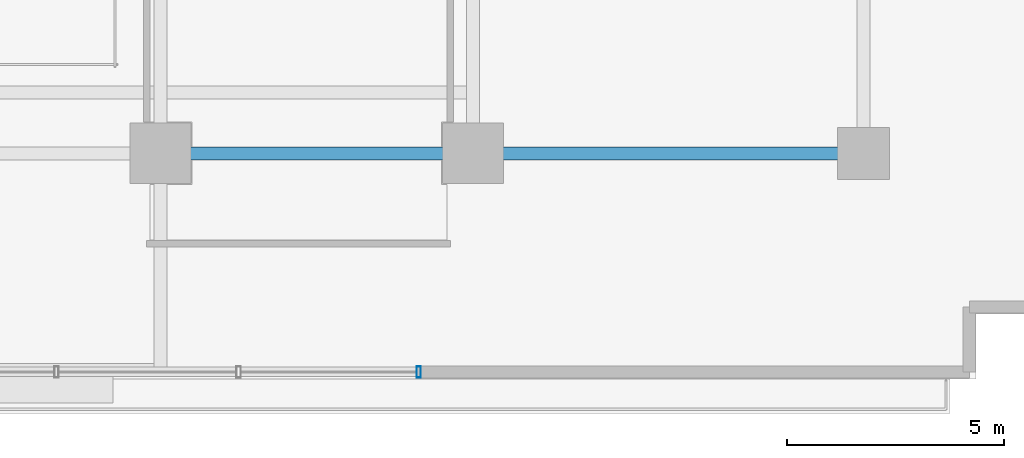
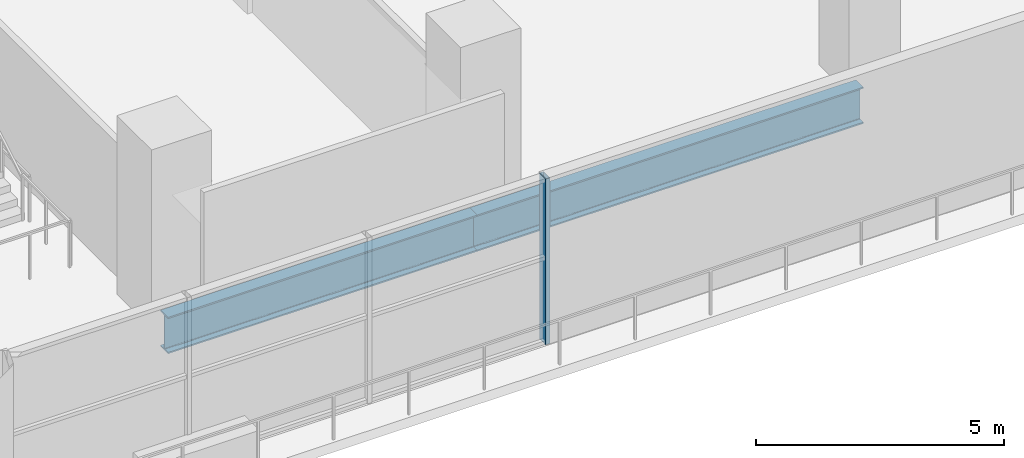
# One storey, part 5 of 23: 2 beams, 1 member, 1 element without a shape of its own.
"""IFC4 building model written with IfcOpenShell, lengths in metres."""

import ifcopenshell
import ifcopenshell.guid

model = None  # the IFC model being written
_history = None  # IfcOwnerHistory: only IFC2X3 demands one
_inside = {}  # id of a spatial element -> (the spatial element, [elements in it])
_under = {}  # id of a project, library or spatial element -> (it, [spatial elements below it])
_declared = {}  # id of a project -> (the project, [libraries it declares])
_typed = {}  # id of a type object -> (the type object, [elements of that type])
_made_of = {}  # id of a material, layer set ... -> (it, [elements and type objects made of it])


def new_model(schema):
    """Start an empty IFC model of exactly this schema.

    Asked for "IFC4X3", IfcOpenShell would pick the latest addendum, in which some entities
    have other attributes; the version numbers below select the first issue.
    IFC2X3 requires an IfcOwnerHistory on every rooted entity: one is made here for all.
    """
    global model, _history
    if schema == "IFC4X3":
        model = ifcopenshell.file(schema_version=(4, 3, 0, 0))
    else:
        model = ifcopenshell.file(schema=schema)
    _inside.clear()
    _under.clear()
    _declared.clear()
    _typed.clear()
    _made_of.clear()
    _history = None
    if model.schema == "IFC2X3":
        org = make("IfcOrganization", Name="unknown")
        user = make(
            "IfcPersonAndOrganization",
            ThePerson=make("IfcPerson", FamilyName="unknown"),
            TheOrganization=org,
        )
        app = make(
            "IfcApplication",
            ApplicationDeveloper=org,
            Version="unknown",
            ApplicationFullName="unknown",
            ApplicationIdentifier="unknown",
        )
        _history = make(
            "IfcOwnerHistory",
            OwningUser=user,
            OwningApplication=app,
            ChangeAction="ADDED",
            CreationDate=0,
        )
    return model


def make(cls, **values):
    """One entity of the class cls with the attributes given. An attribute that is None is left unset."""
    return model.create_entity(
        cls, **{name: value for name, value in values.items() if value is not None}
    )


def rooted(cls, **values):
    """An entity with a GlobalId (a new one), such as an element, a storey or a relation."""
    return make(cls, GlobalId=ifcopenshell.guid.new(), OwnerHistory=_history, **values)


def si_unit(unit_type, name, prefix=None):
    """IfcSIUnit, for example si_unit("LENGTHUNIT", "METRE", prefix="MILLI")."""
    return make("IfcSIUnit", UnitType=unit_type, Prefix=prefix, Name=name)


def assignment(units):
    """IfcUnitAssignment: the units of a project."""
    return None if units is None else make("IfcUnitAssignment", Units=units)


def point(xyz):
    """IfcCartesianPoint."""
    return None if xyz is None else make("IfcCartesianPoint", Coordinates=xyz)


def direction(xyz):
    """IfcDirection."""
    return None if xyz is None else make("IfcDirection", DirectionRatios=xyz)


def frame(location, z_axis=None, x_axis=None):
    """IfcAxis2Placement3D, a coordinate frame: its origin and axes. An axis left out is left unset."""
    return make(
        "IfcAxis2Placement3D",
        Location=point(location),
        Axis=direction(z_axis),
        RefDirection=direction(x_axis),
    )


def frame_2d(location, x_axis=None):
    """IfcAxis2Placement2D, a coordinate frame in the plane: its origin and x axis."""
    return make(
        "IfcAxis2Placement2D", Location=point(location), RefDirection=direction(x_axis)
    )


def origin():
    """The frame at (0, 0, 0) with its axes left unset."""
    return frame((0.0, 0.0, 0.0))


def origin_2d():
    """The frame at (0, 0) in the plane with its x axis left unset."""
    return frame_2d((0.0, 0.0))


def place(relative_to, where):
    """IfcLocalPlacement: puts the frame where relative to a parent placement (None: the world)."""
    return make(
        "IfcLocalPlacement", PlacementRelTo=relative_to, RelativePlacement=where
    )


def context(
    kind, dimensions, precision=None, world=None, true_north=None, identifier=None
):
    """IfcGeometricRepresentationContext, for example the 3D "Model" context."""
    return make(
        "IfcGeometricRepresentationContext",
        ContextIdentifier=identifier,
        ContextType=kind,
        CoordinateSpaceDimension=dimensions,
        Precision=precision,
        WorldCoordinateSystem=world,
        TrueNorth=true_north,
    )


def subcontext(parent, identifier, kind, view, scale=None):
    """IfcGeometricRepresentationSubContext, for example "Body" below "Model"."""
    return make(
        "IfcGeometricRepresentationSubContext",
        ContextIdentifier=identifier,
        ContextType=kind,
        ParentContext=parent,
        TargetScale=scale,
        TargetView=view,
    )


def project(units=None, contexts=None):
    """IfcProject with its units and contexts."""
    return rooted(
        "IfcProject",
        Name="project",
        RepresentationContexts=contexts,
        UnitsInContext=assignment(units),
    )


def spatial(cls, under=None, at=None, **own):
    """A site, building, storey or space (cls), placed at a placement, below another one or the project."""
    s = rooted(cls, ObjectPlacement=at, **own)
    if under is not None:
        _under.setdefault(under.id(), (under, []))[1].append(s)
    return s


def profile(cls, at=None, kind="AREA", **sizes):
    """A parametric profile (cls). Its sizes go by their IFC names, for example OverallWidth=200.0."""
    return make(cls, ProfileType=kind, Position=at, **sizes)


def hollow_rectangle(**sizes):
    """IfcRectangleHollowProfileDef."""
    return profile("IfcRectangleHollowProfileDef", **sizes)


def i_section(**sizes):
    """IfcIShapeProfileDef."""
    return profile("IfcIShapeProfileDef", **sizes)


def extrude(swept, where, along, depth):
    """IfcExtrudedAreaSolid: the profile swept, set in the frame where, extruded along a direction by depth."""
    return make(
        "IfcExtrudedAreaSolid",
        SweptArea=swept,
        Position=where,
        ExtrudedDirection=direction(along),
        Depth=depth,
    )


def shape(context_of_items, identifier, shape_type, items):
    """IfcShapeRepresentation: the items that make up one representation, for example the "Body"."""
    return make(
        "IfcShapeRepresentation",
        ContextOfItems=context_of_items,
        RepresentationIdentifier=identifier,
        RepresentationType=shape_type,
        Items=items,
    )


def source(mapping_origin, context_of_items, identifier, shape_type, items):
    """IfcRepresentationMap: a shape defined once, which mapped items show again and again."""
    return make(
        "IfcRepresentationMap",
        MappingOrigin=mapping_origin,
        MappedRepresentation=shape(context_of_items, identifier, shape_type, items),
    )


def transform(
    local_origin,
    x_axis=None,
    y_axis=None,
    z_axis=None,
    scale=None,
    scale2=None,
    scale3=None,
    uniform=True,
):
    """IfcCartesianTransformationOperator3D, or its non-uniform kind. x_axis, y_axis, z_axis: its Axis1, 2, 3."""
    if uniform:
        return make(
            "IfcCartesianTransformationOperator3D",
            Axis1=direction(x_axis),
            Axis2=direction(y_axis),
            LocalOrigin=point(local_origin),
            Scale=scale,
            Axis3=direction(z_axis),
        )
    return make(
        "IfcCartesianTransformationOperator3DnonUniform",
        Axis1=direction(x_axis),
        Axis2=direction(y_axis),
        LocalOrigin=point(local_origin),
        Scale=scale,
        Axis3=direction(z_axis),
        Scale2=scale2,
        Scale3=scale3,
    )


def mapped(mapping_source, mapping_target):
    """IfcMappedItem: shows the shape of a source again, moved by a transform."""
    return make(
        "IfcMappedItem", MappingSource=mapping_source, MappingTarget=mapping_target
    )


def material(Name=None, Category=None):
    """IfcMaterial."""
    return make("IfcMaterial", Name=Name, Category=Category)


def layer(
    of_material, thickness, ventilated=None, Name=None, Category=None, Priority=None
):
    """IfcMaterialLayer: one layer of a wall or slab, of a material (None: an air gap)."""
    return make(
        "IfcMaterialLayer",
        Material=of_material,
        LayerThickness=thickness,
        IsVentilated=ventilated,
        Name=Name,
        Category=Category,
        Priority=Priority,
    )


def layer_set(layers, Name=None):
    """IfcMaterialLayerSet."""
    return make("IfcMaterialLayerSet", MaterialLayers=layers, LayerSetName=Name)


def material_profile(
    of_material, cross_section, Name=None, Category=None, Priority=None
):
    """IfcMaterialProfile: a cross section and its material."""
    return make(
        "IfcMaterialProfile",
        Name=Name,
        Material=of_material,
        Profile=cross_section,
        Priority=Priority,
        Category=Category,
    )


def profile_set(profiles, Name=None, composite=None):
    """IfcMaterialProfileSet."""
    return make(
        "IfcMaterialProfileSet",
        Name=Name,
        MaterialProfiles=profiles,
        CompositeProfile=composite,
    )


def made_of(thing, what):
    """Note that an element or type object is made of a material, layer set ...; save() writes the relation."""
    if what is not None:
        _made_of.setdefault(what.id(), (what, []))[1].append(thing)
    return thing


def type_object(cls, material=None, **own):
    """A type object (cls), such as IfcWallType, which elements share."""
    return made_of(rooted(cls, **own), material)


def element(
    cls,
    number,
    at=None,
    inside=None,
    cuts=None,
    type_object=None,
    material=None,
    context=None,
    identifier="Body",
    shape_type=None,
    held_by="IfcProductDefinitionShape",
    body=None,
    shapes=None,
    **own,
):
    """One element of the class cls, such as IfcWall. Its Tag is "e" and its number.

    at: its placement. inside: the storey or other place that contains it. cuts: it is an
    opening in that element (IfcRelVoidsElement). A single representation is given by context,
    identifier, shape_type and body (its items); several are given by shapes. held_by: the class
    of the entity that holds the representations. save() writes the other relations.
    """
    e = rooted(cls, Tag="e%d" % number, ObjectPlacement=at, **own)
    if body is not None:
        shapes = [shape(context, identifier, shape_type, body)]
    if shapes is not None:
        e.Representation = make(held_by, Representations=shapes)
    if inside is not None:
        _inside.setdefault(inside.id(), (inside, []))[1].append(e)
    if cuts is not None:
        rooted(
            "IfcRelVoidsElement", RelatingBuildingElement=cuts, RelatedOpeningElement=e
        )
    if type_object is not None:
        _typed.setdefault(type_object.id(), (type_object, []))[1].append(e)
    return made_of(e, material)


def aggregate(whole, parts):
    """IfcRelAggregates: a whole, such as a stair, and the parts it consists of."""
    return rooted("IfcRelAggregates", RelatingObject=whole, RelatedObjects=parts)


def save(model, path):
    """Write the relations noted so far, then the file.

    IfcRelAggregates (storeys below a building ...), IfcRelContainedInSpatialStructure (elements
    in a storey), IfcRelDefinesByType, IfcRelAssociatesMaterial and IfcRelDeclares: one each for
    every whole, place, type object, material and project.
    """
    for whole, parts in _under.values():
        aggregate(whole, parts)
    for where, things in _inside.values():
        rooted(
            "IfcRelContainedInSpatialStructure",
            RelatedElements=things,
            RelatingStructure=where,
        )
    for kind, things in _typed.values():
        rooted("IfcRelDefinesByType", RelatedObjects=things, RelatingType=kind)
    for what, things in _made_of.values():
        rooted("IfcRelAssociatesMaterial", RelatedObjects=things, RelatingMaterial=what)
    for by, libraries in _declared.values():
        rooted("IfcRelDeclares", RelatingContext=by, RelatedDefinitions=libraries)
    model.write(path)


model = new_model("IFC4")

# Units and contexts
model_context = context("Model", 3, precision=1e-05, world=origin(), true_north=direction((0.0, 1.0)))
body_context = subcontext(model_context, "Body", "Model", "MODEL_VIEW")
ifc_project = project(units=[si_unit("LENGTHUNIT", "METRE"), si_unit("AREAUNIT", "SQUARE_METRE"), si_unit("VOLUMEUNIT", "CUBIC_METRE"), si_unit("PLANEANGLEUNIT", "RADIAN"), si_unit("MASSUNIT", "GRAM", prefix="KILO")], contexts=[model_context])

# Site, building, storey
site_placement = place(None, origin())
site = spatial("IfcSite", under=ifc_project, at=site_placement, CompositionType="ELEMENT")
building_placement = place(site_placement, origin())
building = spatial("IfcBuilding", under=site, at=building_placement, Name="Zarnakvel Exchange Tower", CompositionType="ELEMENT")
storey_placement = place(building_placement, frame((0.0, 0.0, 13.800048828125)))
storey = spatial("IfcBuildingStorey", under=building, at=storey_placement, Name="L03", CompositionType="ELEMENT", Elevation=13.800048828125)

# Beams
ifc_material_1 = material(Name="Steel S355", Category="steel")
ifc_material_profile_1 = material_profile(ifc_material_1, i_section(OverallWidth=0.300048828125, OverallDepth=0.89990234375, WebThickness=0.0185546875, FlangeThickness=0.034912109375, FilletRadius=0.030029296875, at=origin_2d()))
ifc_profile_set_1 = profile_set([ifc_material_profile_1], Name="Steel S355")
beam_type = type_object("IfcBeamType", Name="G-01", PredefinedType="BEAM", material=ifc_profile_set_1)
beam_1_placement = place(storey_placement, frame((14.39990234375, -18.199951171875, -0.75), z_axis=(1.0, 0.0, 0.0), x_axis=(0.0, 1.0, 0.0)))
element("IfcBeam", 1, at=beam_1_placement, inside=storey, type_object=beam_type, Name="L03 Primary E-W Girder Y=-18.2", PredefinedType="BEAM", context=body_context, shape_type="SweptSolid", body=[
    extrude(i_section(OverallWidth=0.300048828125, OverallDepth=0.89990234375, WebThickness=0.0185546875, FlangeThickness=0.034912109375, FilletRadius=0.030029296875, at=origin_2d()), origin(), (0.0, 0.0, 1.0), 7.2001953125),
])
beam_2_placement = place(storey_placement, frame((21.60009765625, -18.199951171875, -0.75), z_axis=(1.0, 0.0, 0.0), x_axis=(0.0, 1.0, 0.0)))
element("IfcBeam", 2, at=beam_2_placement, inside=storey, type_object=beam_type, Name="L03 Primary E-W Girder Y=-18.2", PredefinedType="BEAM", context=body_context, shape_type="SweptSolid", body=[
    extrude(i_section(OverallWidth=0.300048828125, OverallDepth=0.89990234375, WebThickness=0.0185546875, FlangeThickness=0.034912109375, FilletRadius=0.030029296875, at=origin_2d()), origin(), (0.0, 0.0, 1.0), 9.0),
])

# Curtain wall, member
ifc_material_2 = material(Name="Architectural Bronze Anodised Aluminium", Category="aluminium")
ifc_layer = layer(ifc_material_2, 0.260009765625)
ifc_layer_set = layer_set([ifc_layer], Name="Architectural Bronze Anodised Aluminium")
curtain_wall_type = type_object("IfcCurtainWallType", Name="CW-01", PredefinedType="NOTDEFINED", material=ifc_layer_set)
curtain_wall_placement = place(storey_placement, origin())
curtain_wall = element("IfcCurtainWall", 3, at=curtain_wall_placement, inside=storey, type_object=curtain_wall_type, Name="L03 Curtain Wall CW-L03-S2 (CW-01)", PredefinedType="NOTDEFINED")
ifc_material_profile_2 = material_profile(ifc_material_2, hollow_rectangle(XDim=0.260009765625, YDim=0.10009765625, WallThickness=0.006103515625, at=origin_2d()))
ifc_profile_set_2 = profile_set([ifc_material_profile_2], Name="Architectural Bronze Anodised Aluminium")
member_type = type_object("IfcMemberType", Name="CWM-01", PredefinedType="MULLION", material=ifc_profile_set_2)
shared_shape = source(origin(), body_context, "Body", "SweptSolid", [
    extrude(hollow_rectangle(XDim=0.260009765625, YDim=0.10009765625, WallThickness=0.006103515625, at=origin_2d()), origin(), (0.0, 0.0, 1.0), 4.079833984375),
])
member_placement = place(storey_placement, frame((20.35009765625, -23.239990234375, 0.0), z_axis=(0.0, 0.0, 1.0), x_axis=(0.0, 1.0, 0.0)))
member = element("IfcMember", 4, at=member_placement, type_object=member_type, Name="CW-01 mullion 4", PredefinedType="MULLION", context=body_context, shape_type="MappedRepresentation", body=[
    mapped(shared_shape, transform((0.0, 0.0, 0.0), x_axis=(1.0, 0.0, 0.0), y_axis=(0.0, 1.0, 0.0), z_axis=(0.0, 0.0, 1.0), scale=1.0)),
])
aggregate(curtain_wall, [member])

save(model, "model.ifc")
